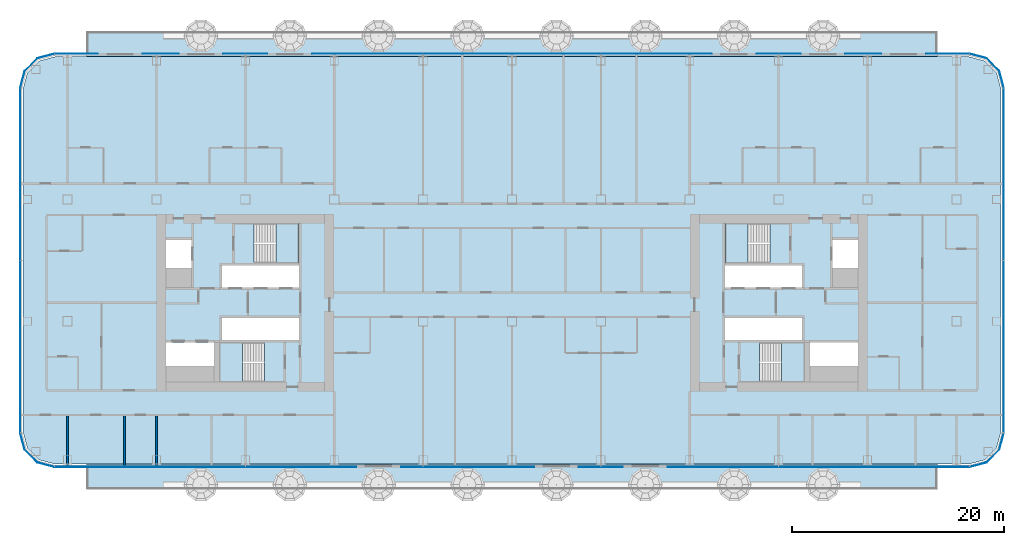
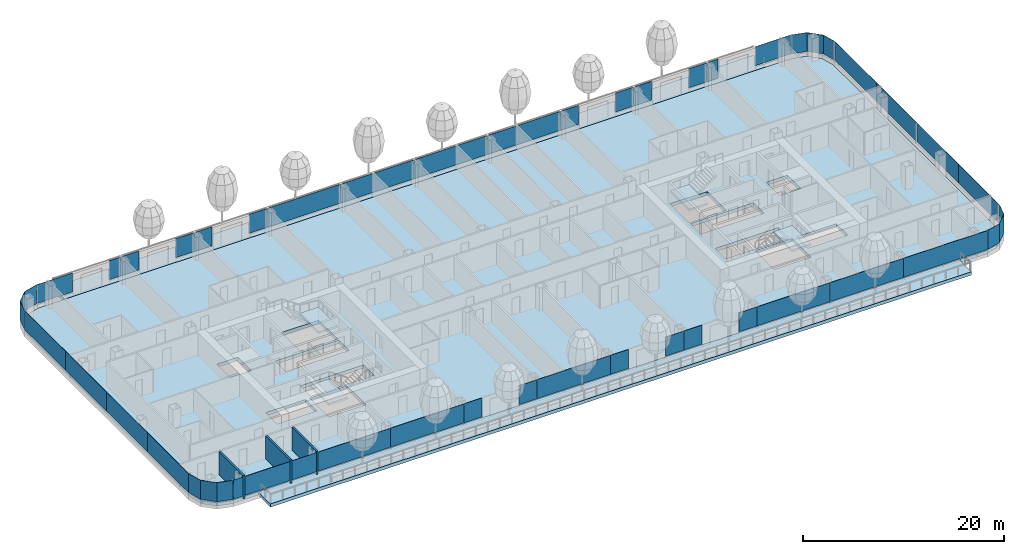
# One storey, part 12 of 34: 41 plates, 7 slabs, 3 walls, 12 elements without a shape of their own.
"""IFC4 building model written with IfcOpenShell, lengths in metres."""

import ifcopenshell
import ifcopenshell.guid

model = None  # the IFC model being written
_history = None  # IfcOwnerHistory: only IFC2X3 demands one
_inside = {}  # id of a spatial element -> (the spatial element, [elements in it])
_under = {}  # id of a project, library or spatial element -> (it, [spatial elements below it])
_declared = {}  # id of a project -> (the project, [libraries it declares])
_typed = {}  # id of a type object -> (the type object, [elements of that type])
_made_of = {}  # id of a material, layer set ... -> (it, [elements and type objects made of it])


def new_model(schema):
    """Start an empty IFC model of exactly this schema.

    Asked for "IFC4X3", IfcOpenShell would pick the latest addendum, in which some entities
    have other attributes; the version numbers below select the first issue.
    IFC2X3 requires an IfcOwnerHistory on every rooted entity: one is made here for all.
    """
    global model, _history
    if schema == "IFC4X3":
        model = ifcopenshell.file(schema_version=(4, 3, 0, 0))
    else:
        model = ifcopenshell.file(schema=schema)
    _inside.clear()
    _under.clear()
    _declared.clear()
    _typed.clear()
    _made_of.clear()
    _history = None
    if model.schema == "IFC2X3":
        org = make("IfcOrganization", Name="unknown")
        user = make(
            "IfcPersonAndOrganization",
            ThePerson=make("IfcPerson", FamilyName="unknown"),
            TheOrganization=org,
        )
        app = make(
            "IfcApplication",
            ApplicationDeveloper=org,
            Version="unknown",
            ApplicationFullName="unknown",
            ApplicationIdentifier="unknown",
        )
        _history = make(
            "IfcOwnerHistory",
            OwningUser=user,
            OwningApplication=app,
            ChangeAction="ADDED",
            CreationDate=0,
        )
    return model


def make(cls, **values):
    """One entity of the class cls with the attributes given. An attribute that is None is left unset."""
    return model.create_entity(
        cls, **{name: value for name, value in values.items() if value is not None}
    )


def rooted(cls, **values):
    """An entity with a GlobalId (a new one), such as an element, a storey or a relation."""
    return make(cls, GlobalId=ifcopenshell.guid.new(), OwnerHistory=_history, **values)


def si_unit(unit_type, name, prefix=None):
    """IfcSIUnit, for example si_unit("LENGTHUNIT", "METRE", prefix="MILLI")."""
    return make("IfcSIUnit", UnitType=unit_type, Prefix=prefix, Name=name)


def assignment(units):
    """IfcUnitAssignment: the units of a project."""
    return None if units is None else make("IfcUnitAssignment", Units=units)


def point(xyz):
    """IfcCartesianPoint."""
    return None if xyz is None else make("IfcCartesianPoint", Coordinates=xyz)


def direction(xyz):
    """IfcDirection."""
    return None if xyz is None else make("IfcDirection", DirectionRatios=xyz)


def frame(location, z_axis=None, x_axis=None):
    """IfcAxis2Placement3D, a coordinate frame: its origin and axes. An axis left out is left unset."""
    return make(
        "IfcAxis2Placement3D",
        Location=point(location),
        Axis=direction(z_axis),
        RefDirection=direction(x_axis),
    )


def frame_2d(location, x_axis=None):
    """IfcAxis2Placement2D, a coordinate frame in the plane: its origin and x axis."""
    return make(
        "IfcAxis2Placement2D", Location=point(location), RefDirection=direction(x_axis)
    )


def origin():
    """The frame at (0, 0, 0) with its axes left unset."""
    return frame((0.0, 0.0, 0.0))


def origin_2d():
    """The frame at (0, 0) in the plane with its x axis left unset."""
    return frame_2d((0.0, 0.0))


def place(relative_to, where):
    """IfcLocalPlacement: puts the frame where relative to a parent placement (None: the world)."""
    return make(
        "IfcLocalPlacement", PlacementRelTo=relative_to, RelativePlacement=where
    )


def context(
    kind, dimensions, precision=None, world=None, true_north=None, identifier=None
):
    """IfcGeometricRepresentationContext, for example the 3D "Model" context."""
    return make(
        "IfcGeometricRepresentationContext",
        ContextIdentifier=identifier,
        ContextType=kind,
        CoordinateSpaceDimension=dimensions,
        Precision=precision,
        WorldCoordinateSystem=world,
        TrueNorth=true_north,
    )


def subcontext(parent, identifier, kind, view, scale=None):
    """IfcGeometricRepresentationSubContext, for example "Body" below "Model"."""
    return make(
        "IfcGeometricRepresentationSubContext",
        ContextIdentifier=identifier,
        ContextType=kind,
        ParentContext=parent,
        TargetScale=scale,
        TargetView=view,
    )


def project(units=None, contexts=None):
    """IfcProject with its units and contexts."""
    return rooted(
        "IfcProject",
        Name="project",
        RepresentationContexts=contexts,
        UnitsInContext=assignment(units),
    )


def spatial(cls, under=None, at=None, **own):
    """A site, building, storey or space (cls), placed at a placement, below another one or the project."""
    s = rooted(cls, ObjectPlacement=at, **own)
    if under is not None:
        _under.setdefault(under.id(), (under, []))[1].append(s)
    return s


def polyline(points):
    """IfcPolyline through the points."""
    return make("IfcPolyline", Points=[point(p) for p in points])


def profile(cls, at=None, kind="AREA", **sizes):
    """A parametric profile (cls). Its sizes go by their IFC names, for example OverallWidth=200.0."""
    return make(cls, ProfileType=kind, Position=at, **sizes)


def rectangle(**sizes):
    """IfcRectangleProfileDef."""
    return profile("IfcRectangleProfileDef", **sizes)


def outline(outer, holes=None, kind="AREA"):
    """IfcArbitraryClosedProfileDef: a profile drawn as a closed curve; with holes, ...WithVoids."""
    if holes is None:
        return make("IfcArbitraryClosedProfileDef", ProfileType=kind, OuterCurve=outer)
    return make(
        "IfcArbitraryProfileDefWithVoids",
        ProfileType=kind,
        OuterCurve=outer,
        InnerCurves=holes,
    )


def extrude(swept, where, along, depth):
    """IfcExtrudedAreaSolid: the profile swept, set in the frame where, extruded along a direction by depth."""
    return make(
        "IfcExtrudedAreaSolid",
        SweptArea=swept,
        Position=where,
        ExtrudedDirection=direction(along),
        Depth=depth,
    )


def shape(context_of_items, identifier, shape_type, items):
    """IfcShapeRepresentation: the items that make up one representation, for example the "Body"."""
    return make(
        "IfcShapeRepresentation",
        ContextOfItems=context_of_items,
        RepresentationIdentifier=identifier,
        RepresentationType=shape_type,
        Items=items,
    )


def material(Name=None, Category=None):
    """IfcMaterial."""
    return make("IfcMaterial", Name=Name, Category=Category)


def layer(
    of_material, thickness, ventilated=None, Name=None, Category=None, Priority=None
):
    """IfcMaterialLayer: one layer of a wall or slab, of a material (None: an air gap)."""
    return make(
        "IfcMaterialLayer",
        Material=of_material,
        LayerThickness=thickness,
        IsVentilated=ventilated,
        Name=Name,
        Category=Category,
        Priority=Priority,
    )


def layer_set(layers, Name=None):
    """IfcMaterialLayerSet."""
    return make("IfcMaterialLayerSet", MaterialLayers=layers, LayerSetName=Name)


def made_of(thing, what):
    """Note that an element or type object is made of a material, layer set ...; save() writes the relation."""
    if what is not None:
        _made_of.setdefault(what.id(), (what, []))[1].append(thing)
    return thing


def type_object(cls, material=None, **own):
    """A type object (cls), such as IfcWallType, which elements share."""
    return made_of(rooted(cls, **own), material)


def element(
    cls,
    number,
    at=None,
    inside=None,
    cuts=None,
    type_object=None,
    material=None,
    context=None,
    identifier="Body",
    shape_type=None,
    held_by="IfcProductDefinitionShape",
    body=None,
    shapes=None,
    **own,
):
    """One element of the class cls, such as IfcWall. Its Tag is "e" and its number.

    at: its placement. inside: the storey or other place that contains it. cuts: it is an
    opening in that element (IfcRelVoidsElement). A single representation is given by context,
    identifier, shape_type and body (its items); several are given by shapes. held_by: the class
    of the entity that holds the representations. save() writes the other relations.
    """
    e = rooted(cls, Tag="e%d" % number, ObjectPlacement=at, **own)
    if body is not None:
        shapes = [shape(context, identifier, shape_type, body)]
    if shapes is not None:
        e.Representation = make(held_by, Representations=shapes)
    if inside is not None:
        _inside.setdefault(inside.id(), (inside, []))[1].append(e)
    if cuts is not None:
        rooted(
            "IfcRelVoidsElement", RelatingBuildingElement=cuts, RelatedOpeningElement=e
        )
    if type_object is not None:
        _typed.setdefault(type_object.id(), (type_object, []))[1].append(e)
    return made_of(e, material)


def aggregate(whole, parts):
    """IfcRelAggregates: a whole, such as a stair, and the parts it consists of."""
    return rooted("IfcRelAggregates", RelatingObject=whole, RelatedObjects=parts)


def save(model, path):
    """Write the relations noted so far, then the file.

    IfcRelAggregates (storeys below a building ...), IfcRelContainedInSpatialStructure (elements
    in a storey), IfcRelDefinesByType, IfcRelAssociatesMaterial and IfcRelDeclares: one each for
    every whole, place, type object, material and project.
    """
    for whole, parts in _under.values():
        aggregate(whole, parts)
    for where, things in _inside.values():
        rooted(
            "IfcRelContainedInSpatialStructure",
            RelatedElements=things,
            RelatingStructure=where,
        )
    for kind, things in _typed.values():
        rooted("IfcRelDefinesByType", RelatedObjects=things, RelatingType=kind)
    for what, things in _made_of.values():
        rooted("IfcRelAssociatesMaterial", RelatedObjects=things, RelatingMaterial=what)
    for by, libraries in _declared.values():
        rooted("IfcRelDeclares", RelatingContext=by, RelatedDefinitions=libraries)
    model.write(path)


model = new_model("IFC4")

# Units and contexts
model_context = context("Model", 3, precision=1e-05, world=origin(), true_north=direction((0.0, 1.0)))
body_context = subcontext(model_context, "Body", "Model", "MODEL_VIEW")
ifc_project = project(units=[si_unit("LENGTHUNIT", "METRE"), si_unit("AREAUNIT", "SQUARE_METRE"), si_unit("VOLUMEUNIT", "CUBIC_METRE"), si_unit("PLANEANGLEUNIT", "RADIAN"), si_unit("MASSUNIT", "GRAM", prefix="KILO")], contexts=[model_context])

# Site, building, storey
site_placement = place(None, origin())
site = spatial("IfcSite", under=ifc_project, at=site_placement, CompositionType="ELEMENT")
building_placement = place(site_placement, origin())
building = spatial("IfcBuilding", under=site, at=building_placement, Name="Hakoniwa Tower and Hamabe Station Hall", CompositionType="ELEMENT")
storey_placement = place(building_placement, frame((0.0, 0.0, 107.39990234375)))
storey = spatial("IfcBuildingStorey", under=building, at=storey_placement, Name="L30", CompositionType="ELEMENT", Elevation=107.39990234375)

# Slabs
ifc_material_1 = material(Name="Concrete C42", Category="concrete")
ifc_layer_1 = layer(ifc_material_1, 0.25)
ifc_layer_set_1 = layer_set([ifc_layer_1], Name="BALCONY SLAB 250")
slab_type_1 = type_object("IfcSlabType", Name="BALCONY SLAB 250", PredefinedType="FLOOR", material=ifc_layer_set_1)
slab_1_placement = place(storey_placement, frame((0.0, 0.0, -0.39990234375)))
element("IfcSlab", 1, at=slab_1_placement, inside=storey, type_object=slab_type_1, Name="Balcony slab L30 BAL-L30-N", PredefinedType="FLOOR", context=body_context, shape_type="SweptSolid", body=[
    extrude(outline(polyline([(-40.199951171875, 23.25), (40.199951171875, 23.25), (40.199951171875, 25.64990234375), (-40.199951171875, 25.64990234375), (-40.199951171875, 23.25)])), origin(), (0.0, 0.0, 1.0), 0.39990234375),
])
slab_2_placement = place(storey_placement, frame((0.0, 0.0, -0.39990234375)))
element("IfcSlab", 2, at=slab_2_placement, inside=storey, type_object=slab_type_1, Name="Balcony slab L30 BAL-L30-S", PredefinedType="FLOOR", context=body_context, shape_type="SweptSolid", body=[
    extrude(outline(polyline([(-40.199951171875, -17.64990234375), (40.199951171875, -17.64990234375), (40.199951171875, -15.25), (-40.199951171875, -15.25), (-40.199951171875, -17.64990234375)])), origin(), (0.0, 0.0, 1.0), 0.39990234375),
])

# Stair, slab
ifc_material_2 = material(Name="Concrete C40", Category="concrete")
stair_type = type_object("IfcStairType", Name="ESCAPE STAIR 1800", PredefinedType="HALF_TURN_STAIR", material=ifc_material_2)
stair_1_placement = place(storey_placement, origin())
stair_1 = element("IfcStair", 3, at=stair_1_placement, inside=storey, type_object=stair_type, Name="Escape stair ST-1 L30", PredefinedType="HALF_TURN_STAIR")
ifc_material_3 = material(Name="Concrete C40", Category="concrete")
ifc_layer_2 = layer(ifc_material_3, 0.25)
ifc_layer_set_2 = layer_set([ifc_layer_2], Name="CORE STAIR LANDING 250")
slab_type_2 = type_object("IfcSlabType", Name="CORE STAIR LANDING 250", PredefinedType="LANDING", material=ifc_layer_set_2)
slab_3_placement = place(storey_placement, frame((0.0, 0.0, 1.35009765625)))
slab_3 = element("IfcSlab", 4, at=slab_3_placement, type_object=slab_type_2, Name="ST-1 landing 1", PredefinedType="LANDING", context=body_context, shape_type="SweptSolid", body=[
    extrude(outline(polyline([(-22.320068359375, 3.75), (-20.14990234375, 3.75), (-20.14990234375, 7.5), (-22.320068359375, 7.5), (-22.320068359375, 3.75)])), origin(), (0.0, 0.0, 1.0), 0.25),
])
aggregate(stair_1, [slab_3])

stair_2_placement = place(storey_placement, origin())
stair_2 = element("IfcStair", 5, at=stair_2_placement, inside=storey, type_object=stair_type, Name="Escape stair ST-2 L30", PredefinedType="HALF_TURN_STAIR")
slab_4_placement = place(storey_placement, frame((0.0, 0.0, 1.35009765625)))
slab_4 = element("IfcSlab", 6, at=slab_4_placement, type_object=slab_type_2, Name="ST-2 landing 1", PredefinedType="LANDING", context=body_context, shape_type="SweptSolid", body=[
    extrude(outline(polyline([(-25.47998046875, -7.5), (-27.64990234375, -7.5), (-27.64990234375, -3.75), (-25.47998046875, -3.75), (-25.47998046875, -7.5)])), origin(), (0.0, 0.0, 1.0), 0.25),
])
aggregate(stair_2, [slab_4])

stair_3_placement = place(storey_placement, origin())
stair_3 = element("IfcStair", 7, at=stair_3_placement, inside=storey, type_object=stair_type, Name="Escape stair ST-3 L30", PredefinedType="HALF_TURN_STAIR")
slab_5_placement = place(storey_placement, frame((0.0, 0.0, 1.35009765625)))
slab_5 = element("IfcSlab", 8, at=slab_5_placement, type_object=slab_type_2, Name="ST-3 landing 1", PredefinedType="LANDING", context=body_context, shape_type="SweptSolid", body=[
    extrude(outline(polyline([(22.320068359375, 3.75), (20.14990234375, 3.75), (20.14990234375, 7.5), (22.320068359375, 7.5), (22.320068359375, 3.75)])), origin(), (0.0, 0.0, 1.0), 0.25),
])
aggregate(stair_3, [slab_5])

stair_4_placement = place(storey_placement, origin())
stair_4 = element("IfcStair", 9, at=stair_4_placement, inside=storey, type_object=stair_type, Name="Escape stair ST-4 L30", PredefinedType="HALF_TURN_STAIR")
slab_6_placement = place(storey_placement, frame((0.0, 0.0, 1.35009765625)))
slab_6 = element("IfcSlab", 10, at=slab_6_placement, type_object=slab_type_2, Name="ST-4 landing 1", PredefinedType="LANDING", context=body_context, shape_type="SweptSolid", body=[
    extrude(outline(polyline([(25.47998046875, -7.5), (27.64990234375, -7.5), (27.64990234375, -3.75), (25.47998046875, -3.75), (25.47998046875, -7.5)])), origin(), (0.0, 0.0, 1.0), 0.25),
])
aggregate(stair_4, [slab_6])

# Curtain wall, plates
ifc_material_4 = material(Name="Dark low-e laminated glass", Category="glass")
ifc_layer_3 = layer(ifc_material_4, 0.199951171875)
ifc_layer_set_3 = layer_set([ifc_layer_3], Name="CW-1 UNITISED GUEST")
curtain_wall_type = type_object("IfcCurtainWallType", Name="CW-1 UNITISED GUEST", PredefinedType="NOTDEFINED", material=ifc_layer_set_3)
curtain_wall_1_placement = place(storey_placement, origin())
curtain_wall_1 = element("IfcCurtainWall", 11, at=curtain_wall_1_placement, inside=storey, type_object=curtain_wall_type, Name="CW-1 curtain wall", PredefinedType="NOTDEFINED")
ifc_material_5 = material(Name="Dark low-e laminated glass", Category="glass")
ifc_layer_4 = layer(ifc_material_5, 0.028076171875)
ifc_layer_set_4 = layer_set([ifc_layer_4], Name="CW-1 GLASS UNIT")
plate_type = type_object("IfcPlateType", Name="CW-1 GLASS UNIT", PredefinedType="CURTAIN_PANEL", material=ifc_layer_set_4)
plate_1_placement = place(storey_placement, frame((46.486083984375, -8.217041015625, 0.35009765625), z_axis=(0.0, 0.0, 1.0), x_axis=(0.0, 1.0, 0.0)))
plate_1 = element("IfcPlate", 12, at=plate_1_placement, type_object=plate_type, Name="CW-1 glass unit", PredefinedType="CURTAIN_PANEL", context=body_context, shape_type="SweptSolid", body=[
    extrude(rectangle(XDim=8.124755859375, YDim=0.028076171875, at=origin_2d()), origin(), (0.0, 0.0, 1.0), 2.300048828125),
])
plate_2_placement = place(storey_placement, frame((46.486083984375, -0.072265625, 0.35009765625), z_axis=(0.0, 0.0, 1.0), x_axis=(0.0, 1.0, 0.0)))
plate_2 = element("IfcPlate", 13, at=plate_2_placement, type_object=plate_type, Name="CW-1 glass unit", PredefinedType="CURTAIN_PANEL", context=body_context, shape_type="SweptSolid", body=[
    extrude(rectangle(XDim=8.124755859375, YDim=0.028076171875, at=origin_2d()), origin(), (0.0, 0.0, 1.0), 2.300048828125),
])
plate_3_placement = place(storey_placement, frame((46.486083984375, 8.072265625, 0.35009765625), z_axis=(0.0, 0.0, 1.0), x_axis=(0.0, 1.0, 0.0)))
plate_3 = element("IfcPlate", 14, at=plate_3_placement, type_object=plate_type, Name="CW-1 glass unit", PredefinedType="CURTAIN_PANEL", context=body_context, shape_type="SweptSolid", body=[
    extrude(rectangle(XDim=8.124755859375, YDim=0.028076171875, at=origin_2d()), origin(), (0.0, 0.0, 1.0), 2.300048828125),
])
plate_4_placement = place(storey_placement, frame((46.486083984375, 16.217041015625, 0.35009765625), z_axis=(0.0, 0.0, 1.0), x_axis=(0.0, 1.0, 0.0)))
plate_4 = element("IfcPlate", 15, at=plate_4_placement, type_object=plate_type, Name="CW-1 glass unit", PredefinedType="CURTAIN_PANEL", context=body_context, shape_type="SweptSolid", body=[
    extrude(rectangle(XDim=8.124755859375, YDim=0.028076171875, at=origin_2d()), origin(), (0.0, 0.0, 1.0), 2.300048828125),
])
aggregate(curtain_wall_1, [plate_1, plate_2, plate_3, plate_4])

# Curtain wall, plate
curtain_wall_2_placement = place(storey_placement, origin())
curtain_wall_2 = element("IfcCurtainWall", 16, at=curtain_wall_2_placement, inside=storey, type_object=curtain_wall_type, Name="CW-1 curtain wall", PredefinedType="NOTDEFINED")
plate_5_placement = place(storey_placement, frame((0.0, 0.0, 0.35009765625)))
plate_5 = element("IfcPlate", 17, at=plate_5_placement, type_object=plate_type, Name="CW-1 curved corner unit", PredefinedType="CURTAIN_PANEL", context=body_context, shape_type="SweptSolid", body=[
    extrude(outline(polyline([(46.48974609375, 20.328125), (46.067138671875, 21.9052734375), (44.855224609375, 23.116943359375), (43.278076171875, 23.53955078125), (43.27099609375, 23.5126953125), (44.8408203125, 23.092041015625), (46.0419921875, 21.890869140625), (46.462646484375, 20.32080078125), (46.48974609375, 20.328125)])), origin(), (0.0, 0.0, 1.0), 2.300048828125),
])
aggregate(curtain_wall_2, [plate_5])

# Curtain wall, plates
curtain_wall_3_placement = place(storey_placement, origin())
curtain_wall_3 = element("IfcCurtainWall", 18, at=curtain_wall_3_placement, inside=storey, type_object=curtain_wall_type, Name="CW-1 curtain wall", PredefinedType="NOTDEFINED")
plate_6_placement = place(storey_placement, frame((41.18212890625, 23.535888671875, 0.35009765625), z_axis=(0.0, 0.0, 1.0), x_axis=(-1.0, 0.0, 0.0)))
plate_6 = element("IfcPlate", 19, at=plate_6_placement, type_object=plate_type, Name="CW-1 glass unit", PredefinedType="CURTAIN_PANEL", context=body_context, shape_type="SweptSolid", body=[
    extrude(rectangle(XDim=4.094482421875, YDim=0.028076171875, at=origin_2d()), origin(), (0.0, 0.0, 1.0), 2.300048828125),
])
plate_7_placement = place(storey_placement, frame((34.262451171875, 23.535888671875, 0.35009765625), z_axis=(0.0, 0.0, 1.0), x_axis=(-1.0, 0.0, 0.0)))
plate_7 = element("IfcPlate", 20, at=plate_7_placement, type_object=plate_type, Name="CW-1 glass unit", PredefinedType="CURTAIN_PANEL", context=body_context, shape_type="SweptSolid", body=[
    extrude(rectangle(XDim=1.304931640625, YDim=0.028076171875, at=origin_2d()), origin(), (0.0, 0.0, 1.0), 2.300048828125),
])
plate_8_placement = place(storey_placement, frame((32.550048828125, 23.535888671875, 0.35009765625), z_axis=(0.0, 0.0, 1.0), x_axis=(-1.0, 0.0, 0.0)))
plate_8 = element("IfcPlate", 21, at=plate_8_placement, type_object=plate_type, Name="CW-1 glass unit", PredefinedType="CURTAIN_PANEL", context=body_context, shape_type="SweptSolid", body=[
    extrude(rectangle(XDim=2.080078125, YDim=0.028076171875, at=origin_2d()), origin(), (0.0, 0.0, 1.0), 2.300048828125),
])
plate_9_placement = place(storey_placement, frame((26.25, 23.535888671875, 0.35009765625), z_axis=(0.0, 0.0, 1.0), x_axis=(-1.0, 0.0, 0.0)))
plate_9 = element("IfcPlate", 22, at=plate_9_placement, type_object=plate_type, Name="CW-1 glass unit", PredefinedType="CURTAIN_PANEL", context=body_context, shape_type="SweptSolid", body=[
    extrude(rectangle(XDim=2.080078125, YDim=0.028076171875, at=origin_2d()), origin(), (0.0, 0.0, 1.0), 2.300048828125),
])
plate_10_placement = place(storey_placement, frame((24.14990234375, 23.535888671875, 0.35009765625), z_axis=(0.0, 0.0, 1.0), x_axis=(-1.0, 0.0, 0.0)))
plate_10 = element("IfcPlate", 23, at=plate_10_placement, type_object=plate_type, Name="CW-1 glass unit", PredefinedType="CURTAIN_PANEL", context=body_context, shape_type="SweptSolid", body=[
    extrude(rectangle(XDim=2.080078125, YDim=0.028076171875, at=origin_2d()), origin(), (0.0, 0.0, 1.0), 2.300048828125),
])
plate_11_placement = place(storey_placement, frame((17.85009765625, 23.535888671875, 0.35009765625), z_axis=(0.0, 0.0, 1.0), x_axis=(-1.0, 0.0, 0.0)))
plate_11 = element("IfcPlate", 24, at=plate_11_placement, type_object=plate_type, Name="CW-1 glass unit", PredefinedType="CURTAIN_PANEL", context=body_context, shape_type="SweptSolid", body=[
    extrude(rectangle(XDim=2.080078125, YDim=0.028076171875, at=origin_2d()), origin(), (0.0, 0.0, 1.0), 2.300048828125),
])
plate_12_placement = place(storey_placement, frame((12.60009765625, 23.535888671875, 0.35009765625), z_axis=(0.0, 0.0, 1.0), x_axis=(-1.0, 0.0, 0.0)))
plate_12 = element("IfcPlate", 25, at=plate_12_placement, type_object=plate_type, Name="CW-1 glass unit", PredefinedType="CURTAIN_PANEL", context=body_context, shape_type="SweptSolid", body=[
    extrude(rectangle(XDim=8.3798828125, YDim=0.028076171875, at=origin_2d()), origin(), (0.0, 0.0, 1.0), 2.300048828125),
])
plate_13_placement = place(storey_placement, frame((4.199951171875, 23.535888671875, 0.35009765625), z_axis=(0.0, 0.0, 1.0), x_axis=(-1.0, 0.0, 0.0)))
plate_13 = element("IfcPlate", 26, at=plate_13_placement, type_object=plate_type, Name="CW-1 glass unit", PredefinedType="CURTAIN_PANEL", context=body_context, shape_type="SweptSolid", body=[
    extrude(rectangle(XDim=8.3798828125, YDim=0.028076171875, at=origin_2d()), origin(), (0.0, 0.0, 1.0), 2.300048828125),
])
plate_14_placement = place(storey_placement, frame((-4.199951171875, 23.535888671875, 0.35009765625), z_axis=(0.0, 0.0, 1.0), x_axis=(-1.0, 0.0, 0.0)))
plate_14 = element("IfcPlate", 27, at=plate_14_placement, type_object=plate_type, Name="CW-1 glass unit", PredefinedType="CURTAIN_PANEL", context=body_context, shape_type="SweptSolid", body=[
    extrude(rectangle(XDim=8.3798828125, YDim=0.028076171875, at=origin_2d()), origin(), (0.0, 0.0, 1.0), 2.300048828125),
])
plate_15_placement = place(storey_placement, frame((-12.60009765625, 23.535888671875, 0.35009765625), z_axis=(0.0, 0.0, 1.0), x_axis=(-1.0, 0.0, 0.0)))
plate_15 = element("IfcPlate", 28, at=plate_15_placement, type_object=plate_type, Name="CW-1 glass unit", PredefinedType="CURTAIN_PANEL", context=body_context, shape_type="SweptSolid", body=[
    extrude(rectangle(XDim=8.3798828125, YDim=0.028076171875, at=origin_2d()), origin(), (0.0, 0.0, 1.0), 2.300048828125),
])
plate_16_placement = place(storey_placement, frame((-17.85009765625, 23.535888671875, 0.35009765625), z_axis=(0.0, 0.0, 1.0), x_axis=(-1.0, 0.0, 0.0)))
plate_16 = element("IfcPlate", 29, at=plate_16_placement, type_object=plate_type, Name="CW-1 glass unit", PredefinedType="CURTAIN_PANEL", context=body_context, shape_type="SweptSolid", body=[
    extrude(rectangle(XDim=2.080078125, YDim=0.028076171875, at=origin_2d()), origin(), (0.0, 0.0, 1.0), 2.300048828125),
])
plate_17_placement = place(storey_placement, frame((-24.14990234375, 23.535888671875, 0.35009765625), z_axis=(0.0, 0.0, 1.0), x_axis=(-1.0, 0.0, 0.0)))
plate_17 = element("IfcPlate", 30, at=plate_17_placement, type_object=plate_type, Name="CW-1 glass unit", PredefinedType="CURTAIN_PANEL", context=body_context, shape_type="SweptSolid", body=[
    extrude(rectangle(XDim=2.080078125, YDim=0.028076171875, at=origin_2d()), origin(), (0.0, 0.0, 1.0), 2.300048828125),
])
plate_18_placement = place(storey_placement, frame((-26.25, 23.535888671875, 0.35009765625), z_axis=(0.0, 0.0, 1.0), x_axis=(-1.0, 0.0, 0.0)))
plate_18 = element("IfcPlate", 31, at=plate_18_placement, type_object=plate_type, Name="CW-1 glass unit", PredefinedType="CURTAIN_PANEL", context=body_context, shape_type="SweptSolid", body=[
    extrude(rectangle(XDim=2.080078125, YDim=0.028076171875, at=origin_2d()), origin(), (0.0, 0.0, 1.0), 2.300048828125),
])
plate_19_placement = place(storey_placement, frame((-32.550048828125, 23.535888671875, 0.35009765625), z_axis=(0.0, 0.0, 1.0), x_axis=(-1.0, 0.0, 0.0)))
plate_19 = element("IfcPlate", 32, at=plate_19_placement, type_object=plate_type, Name="CW-1 glass unit", PredefinedType="CURTAIN_PANEL", context=body_context, shape_type="SweptSolid", body=[
    extrude(rectangle(XDim=2.080078125, YDim=0.028076171875, at=origin_2d()), origin(), (0.0, 0.0, 1.0), 2.300048828125),
])
plate_20_placement = place(storey_placement, frame((-34.262451171875, 23.535888671875, 0.35009765625), z_axis=(0.0, 0.0, 1.0), x_axis=(-1.0, 0.0, 0.0)))
plate_20 = element("IfcPlate", 33, at=plate_20_placement, type_object=plate_type, Name="CW-1 glass unit", PredefinedType="CURTAIN_PANEL", context=body_context, shape_type="SweptSolid", body=[
    extrude(rectangle(XDim=1.304931640625, YDim=0.028076171875, at=origin_2d()), origin(), (0.0, 0.0, 1.0), 2.300048828125),
])
plate_21_placement = place(storey_placement, frame((-41.18212890625, 23.535888671875, 0.35009765625), z_axis=(0.0, 0.0, 1.0), x_axis=(-1.0, 0.0, 0.0)))
plate_21 = element("IfcPlate", 34, at=plate_21_placement, type_object=plate_type, Name="CW-1 glass unit", PredefinedType="CURTAIN_PANEL", context=body_context, shape_type="SweptSolid", body=[
    extrude(rectangle(XDim=4.094482421875, YDim=0.028076171875, at=origin_2d()), origin(), (0.0, 0.0, 1.0), 2.300048828125),
])
aggregate(curtain_wall_3, [plate_6, plate_7, plate_8, plate_9, plate_10, plate_11, plate_12, plate_13, plate_14, plate_15, plate_16, plate_17, plate_18, plate_19, plate_20, plate_21])

# Curtain wall, plate
curtain_wall_4_placement = place(storey_placement, origin())
curtain_wall_4 = element("IfcCurtainWall", 35, at=curtain_wall_4_placement, inside=storey, type_object=curtain_wall_type, Name="CW-1 curtain wall", PredefinedType="NOTDEFINED")
plate_22_placement = place(storey_placement, frame((0.0, 0.0, 0.35009765625)))
plate_22 = element("IfcPlate", 36, at=plate_22_placement, type_object=plate_type, Name="CW-1 curved corner unit", PredefinedType="CURTAIN_PANEL", context=body_context, shape_type="SweptSolid", body=[
    extrude(outline(polyline([(-43.278076171875, 23.53955078125), (-44.855224609375, 23.116943359375), (-46.067138671875, 21.9052734375), (-46.48974609375, 20.328125), (-46.462646484375, 20.32080078125), (-46.0419921875, 21.890869140625), (-44.8408203125, 23.092041015625), (-43.27099609375, 23.5126953125), (-43.278076171875, 23.53955078125)])), origin(), (0.0, 0.0, 1.0), 2.300048828125),
])
aggregate(curtain_wall_4, [plate_22])

# Curtain wall, plates
curtain_wall_5_placement = place(storey_placement, origin())
curtain_wall_5 = element("IfcCurtainWall", 37, at=curtain_wall_5_placement, inside=storey, type_object=curtain_wall_type, Name="CW-1 curtain wall", PredefinedType="NOTDEFINED")
plate_23_placement = place(storey_placement, frame((-46.486083984375, 16.217041015625, 0.35009765625), z_axis=(0.0, 0.0, 1.0), x_axis=(0.0, -1.0, 0.0)))
plate_23 = element("IfcPlate", 38, at=plate_23_placement, type_object=plate_type, Name="CW-1 glass unit", PredefinedType="CURTAIN_PANEL", context=body_context, shape_type="SweptSolid", body=[
    extrude(rectangle(XDim=8.124755859375, YDim=0.028076171875, at=origin_2d()), origin(), (0.0, 0.0, 1.0), 2.300048828125),
])
plate_24_placement = place(storey_placement, frame((-46.486083984375, 8.072265625, 0.35009765625), z_axis=(0.0, 0.0, 1.0), x_axis=(0.0, -1.0, 0.0)))
plate_24 = element("IfcPlate", 39, at=plate_24_placement, type_object=plate_type, Name="CW-1 glass unit", PredefinedType="CURTAIN_PANEL", context=body_context, shape_type="SweptSolid", body=[
    extrude(rectangle(XDim=8.124755859375, YDim=0.028076171875, at=origin_2d()), origin(), (0.0, 0.0, 1.0), 2.300048828125),
])
plate_25_placement = place(storey_placement, frame((-46.486083984375, -0.072265625, 0.35009765625), z_axis=(0.0, 0.0, 1.0), x_axis=(0.0, -1.0, 0.0)))
plate_25 = element("IfcPlate", 40, at=plate_25_placement, type_object=plate_type, Name="CW-1 glass unit", PredefinedType="CURTAIN_PANEL", context=body_context, shape_type="SweptSolid", body=[
    extrude(rectangle(XDim=8.124755859375, YDim=0.028076171875, at=origin_2d()), origin(), (0.0, 0.0, 1.0), 2.300048828125),
])
plate_26_placement = place(storey_placement, frame((-46.486083984375, -8.217041015625, 0.35009765625), z_axis=(0.0, 0.0, 1.0), x_axis=(0.0, -1.0, 0.0)))
plate_26 = element("IfcPlate", 41, at=plate_26_placement, type_object=plate_type, Name="CW-1 glass unit", PredefinedType="CURTAIN_PANEL", context=body_context, shape_type="SweptSolid", body=[
    extrude(rectangle(XDim=8.124755859375, YDim=0.028076171875, at=origin_2d()), origin(), (0.0, 0.0, 1.0), 2.300048828125),
])
aggregate(curtain_wall_5, [plate_23, plate_24, plate_25, plate_26])

# Curtain wall, plate
curtain_wall_6_placement = place(storey_placement, origin())
curtain_wall_6 = element("IfcCurtainWall", 42, at=curtain_wall_6_placement, inside=storey, type_object=curtain_wall_type, Name="CW-1 curtain wall", PredefinedType="NOTDEFINED")
plate_27_placement = place(storey_placement, frame((0.0, 0.0, 0.35009765625)))
plate_27 = element("IfcPlate", 43, at=plate_27_placement, type_object=plate_type, Name="CW-1 curved corner unit", PredefinedType="CURTAIN_PANEL", context=body_context, shape_type="SweptSolid", body=[
    extrude(outline(polyline([(-46.48974609375, -12.328125), (-46.067138671875, -13.9052734375), (-44.855224609375, -15.116943359375), (-43.278076171875, -15.53955078125), (-43.27099609375, -15.5126953125), (-44.8408203125, -15.092041015625), (-46.0419921875, -13.890869140625), (-46.462646484375, -12.32080078125), (-46.48974609375, -12.328125)])), origin(), (0.0, 0.0, 1.0), 2.300048828125),
])
aggregate(curtain_wall_6, [plate_27])

# Curtain wall, plates
curtain_wall_7_placement = place(storey_placement, origin())
curtain_wall_7 = element("IfcCurtainWall", 44, at=curtain_wall_7_placement, inside=storey, type_object=curtain_wall_type, Name="CW-1 curtain wall", PredefinedType="NOTDEFINED")
plate_28_placement = place(storey_placement, frame((-38.419677734375, -15.535888671875, 0.35009765625), z_axis=(0.0, 0.0, 1.0), x_axis=(1.0, 0.0, 0.0)))
plate_28 = element("IfcPlate", 45, at=plate_28_placement, type_object=plate_type, Name="CW-1 glass unit", PredefinedType="CURTAIN_PANEL", context=body_context, shape_type="SweptSolid", body=[
    extrude(rectangle(XDim=9.619384765625, YDim=0.028076171875, at=origin_2d()), origin(), (0.0, 0.0, 1.0), 2.300048828125),
])
plate_29_placement = place(storey_placement, frame((-29.39990234375, -15.535888671875, 0.35009765625), z_axis=(0.0, 0.0, 1.0), x_axis=(1.0, 0.0, 0.0)))
plate_29 = element("IfcPlate", 46, at=plate_29_placement, type_object=plate_type, Name="CW-1 glass unit", PredefinedType="CURTAIN_PANEL", context=body_context, shape_type="SweptSolid", body=[
    extrude(rectangle(XDim=8.3798828125, YDim=0.028076171875, at=origin_2d()), origin(), (0.0, 0.0, 1.0), 2.300048828125),
])
plate_30_placement = place(storey_placement, frame((-21.0, -15.535888671875, 0.35009765625), z_axis=(0.0, 0.0, 1.0), x_axis=(1.0, 0.0, 0.0)))
plate_30 = element("IfcPlate", 47, at=plate_30_placement, type_object=plate_type, Name="CW-1 glass unit", PredefinedType="CURTAIN_PANEL", context=body_context, shape_type="SweptSolid", body=[
    extrude(rectangle(XDim=8.3798828125, YDim=0.028076171875, at=origin_2d()), origin(), (0.0, 0.0, 1.0), 2.300048828125),
])
plate_31_placement = place(storey_placement, frame((-15.75, -15.535888671875, 0.35009765625), z_axis=(0.0, 0.0, 1.0), x_axis=(1.0, 0.0, 0.0)))
plate_31 = element("IfcPlate", 48, at=plate_31_placement, type_object=plate_type, Name="CW-1 glass unit", PredefinedType="CURTAIN_PANEL", context=body_context, shape_type="SweptSolid", body=[
    extrude(rectangle(XDim=2.080078125, YDim=0.028076171875, at=origin_2d()), origin(), (0.0, 0.0, 1.0), 2.300048828125),
])
plate_32_placement = place(storey_placement, frame((-9.449951171875, -15.535888671875, 0.35009765625), z_axis=(0.0, 0.0, 1.0), x_axis=(1.0, 0.0, 0.0)))
plate_32 = element("IfcPlate", 49, at=plate_32_placement, type_object=plate_type, Name="CW-1 glass unit", PredefinedType="CURTAIN_PANEL", context=body_context, shape_type="SweptSolid", body=[
    extrude(rectangle(XDim=2.080078125, YDim=0.028076171875, at=origin_2d()), origin(), (0.0, 0.0, 1.0), 2.300048828125),
])
plate_33_placement = place(storey_placement, frame((-4.199951171875, -15.535888671875, 0.35009765625), z_axis=(0.0, 0.0, 1.0), x_axis=(1.0, 0.0, 0.0)))
plate_33 = element("IfcPlate", 50, at=plate_33_placement, type_object=plate_type, Name="CW-1 glass unit", PredefinedType="CURTAIN_PANEL", context=body_context, shape_type="SweptSolid", body=[
    extrude(rectangle(XDim=8.3798828125, YDim=0.028076171875, at=origin_2d()), origin(), (0.0, 0.0, 1.0), 2.300048828125),
])
plate_34_placement = place(storey_placement, frame((1.050048828125, -15.535888671875, 0.35009765625), z_axis=(0.0, 0.0, 1.0), x_axis=(1.0, 0.0, 0.0)))
plate_34 = element("IfcPlate", 51, at=plate_34_placement, type_object=plate_type, Name="CW-1 glass unit", PredefinedType="CURTAIN_PANEL", context=body_context, shape_type="SweptSolid", body=[
    extrude(rectangle(XDim=2.080078125, YDim=0.028076171875, at=origin_2d()), origin(), (0.0, 0.0, 1.0), 2.300048828125),
])
plate_35_placement = place(storey_placement, frame((7.35009765625, -15.535888671875, 0.35009765625), z_axis=(0.0, 0.0, 1.0), x_axis=(1.0, 0.0, 0.0)))
plate_35 = element("IfcPlate", 52, at=plate_35_placement, type_object=plate_type, Name="CW-1 glass unit", PredefinedType="CURTAIN_PANEL", context=body_context, shape_type="SweptSolid", body=[
    extrude(rectangle(XDim=2.080078125, YDim=0.028076171875, at=origin_2d()), origin(), (0.0, 0.0, 1.0), 2.300048828125),
])
plate_36_placement = place(storey_placement, frame((9.449951171875, -15.535888671875, 0.35009765625), z_axis=(0.0, 0.0, 1.0), x_axis=(1.0, 0.0, 0.0)))
plate_36 = element("IfcPlate", 53, at=plate_36_placement, type_object=plate_type, Name="CW-1 glass unit", PredefinedType="CURTAIN_PANEL", context=body_context, shape_type="SweptSolid", body=[
    extrude(rectangle(XDim=2.080078125, YDim=0.028076171875, at=origin_2d()), origin(), (0.0, 0.0, 1.0), 2.300048828125),
])
plate_37_placement = place(storey_placement, frame((15.75, -15.535888671875, 0.35009765625), z_axis=(0.0, 0.0, 1.0), x_axis=(1.0, 0.0, 0.0)))
plate_37 = element("IfcPlate", 54, at=plate_37_placement, type_object=plate_type, Name="CW-1 glass unit", PredefinedType="CURTAIN_PANEL", context=body_context, shape_type="SweptSolid", body=[
    extrude(rectangle(XDim=2.080078125, YDim=0.028076171875, at=origin_2d()), origin(), (0.0, 0.0, 1.0), 2.300048828125),
])
plate_38_placement = place(storey_placement, frame((21.0, -15.535888671875, 0.35009765625), z_axis=(0.0, 0.0, 1.0), x_axis=(1.0, 0.0, 0.0)))
plate_38 = element("IfcPlate", 55, at=plate_38_placement, type_object=plate_type, Name="CW-1 glass unit", PredefinedType="CURTAIN_PANEL", context=body_context, shape_type="SweptSolid", body=[
    extrude(rectangle(XDim=8.3798828125, YDim=0.028076171875, at=origin_2d()), origin(), (0.0, 0.0, 1.0), 2.300048828125),
])
plate_39_placement = place(storey_placement, frame((29.39990234375, -15.535888671875, 0.35009765625), z_axis=(0.0, 0.0, 1.0), x_axis=(1.0, 0.0, 0.0)))
plate_39 = element("IfcPlate", 56, at=plate_39_placement, type_object=plate_type, Name="CW-1 glass unit", PredefinedType="CURTAIN_PANEL", context=body_context, shape_type="SweptSolid", body=[
    extrude(rectangle(XDim=8.3798828125, YDim=0.028076171875, at=origin_2d()), origin(), (0.0, 0.0, 1.0), 2.300048828125),
])
plate_40_placement = place(storey_placement, frame((38.419677734375, -15.535888671875, 0.35009765625), z_axis=(0.0, 0.0, 1.0), x_axis=(1.0, 0.0, 0.0)))
plate_40 = element("IfcPlate", 57, at=plate_40_placement, type_object=plate_type, Name="CW-1 glass unit", PredefinedType="CURTAIN_PANEL", context=body_context, shape_type="SweptSolid", body=[
    extrude(rectangle(XDim=9.619384765625, YDim=0.028076171875, at=origin_2d()), origin(), (0.0, 0.0, 1.0), 2.300048828125),
])
aggregate(curtain_wall_7, [plate_28, plate_29, plate_30, plate_31, plate_32, plate_33, plate_34, plate_35, plate_36, plate_37, plate_38, plate_39, plate_40])

# Curtain wall, plate
curtain_wall_8_placement = place(storey_placement, origin())
curtain_wall_8 = element("IfcCurtainWall", 58, at=curtain_wall_8_placement, inside=storey, type_object=curtain_wall_type, Name="CW-1 curtain wall", PredefinedType="NOTDEFINED")
plate_41_placement = place(storey_placement, frame((0.0, 0.0, 0.35009765625)))
plate_41 = element("IfcPlate", 59, at=plate_41_placement, type_object=plate_type, Name="CW-1 curved corner unit", PredefinedType="CURTAIN_PANEL", context=body_context, shape_type="SweptSolid", body=[
    extrude(outline(polyline([(43.278076171875, -15.53955078125), (44.855224609375, -15.116943359375), (46.067138671875, -13.9052734375), (46.48974609375, -12.328125), (46.462646484375, -12.32080078125), (46.0419921875, -13.890869140625), (44.8408203125, -15.092041015625), (43.27099609375, -15.5126953125), (43.278076171875, -15.53955078125)])), origin(), (0.0, 0.0, 1.0), 2.300048828125),
])
aggregate(curtain_wall_8, [plate_41])

# Slab
ifc_material_6 = material(Name="Concrete C42", Category="concrete")
ifc_layer_5 = layer(ifc_material_6, 0.39990234375)
ifc_layer_set_5 = layer_set([ifc_layer_5], Name="PT FLAT PLATE 400")
slab_type_3 = type_object("IfcSlabType", Name="PT FLAT PLATE 400", PredefinedType="FLOOR", material=ifc_layer_set_5)
slab_7_placement = place(storey_placement, frame((0.0, 0.0, -0.39990234375)))
element("IfcSlab", 60, at=slab_7_placement, inside=storey, type_object=slab_type_3, Name="Floor slab L30", PredefinedType="FLOOR", context=body_context, shape_type="SweptSolid", body=[
    extrude(outline(polyline([(46.199951171875, -12.25), (46.199951171875, 20.25), (45.798095703125, 21.75), (44.699951171875, 22.84814453125), (43.199951171875, 23.25), (-43.199951171875, 23.25), (-44.699951171875, 22.84814453125), (-45.798095703125, 21.75), (-46.199951171875, 20.25), (-46.199951171875, -12.25), (-45.798095703125, -13.75), (-44.699951171875, -14.84814453125), (-43.199951171875, -15.25), (43.199951171875, -15.25), (44.699951171875, -14.84814453125), (45.798095703125, -13.75), (46.199951171875, -12.25)]), holes=[polyline([(-27.39990234375, 1.449951171875), (-27.39990234375, 3.5), (-20.14990234375, 3.5), (-20.14990234375, 1.449951171875), (-27.39990234375, 1.449951171875)]), polyline([(-27.39990234375, -3.5), (-27.39990234375, -1.449951171875), (-20.14990234375, -1.449951171875), (-20.14990234375, -3.5), (-27.39990234375, -3.5)]), polyline([(-32.699951171875, 3.300048828125), (-32.699951171875, 5.949951171875), (-30.300048828125, 5.949951171875), (-30.300048828125, 3.300048828125), (-32.699951171875, 3.300048828125)]), polyline([(-32.699951171875, -6.0), (-32.699951171875, -3.75), (-28.14990234375, -3.75), (-28.14990234375, -6.0), (-32.699951171875, -6.0)]), polyline([(-24.389892578125, 3.75), (-24.389892578125, 7.5), (-20.14990234375, 7.5), (-20.14990234375, 3.75), (-24.389892578125, 3.75)]), polyline([(-27.64990234375, -7.5), (-27.64990234375, -3.75), (-23.409912109375, -3.75), (-23.409912109375, -7.5), (-27.64990234375, -7.5)]), polyline([(20.14990234375, 1.449951171875), (20.14990234375, 3.5), (27.39990234375, 3.5), (27.39990234375, 1.449951171875), (20.14990234375, 1.449951171875)]), polyline([(20.14990234375, -3.5), (20.14990234375, -1.449951171875), (27.39990234375, -1.449951171875), (27.39990234375, -3.5), (20.14990234375, -3.5)]), polyline([(30.300048828125, 3.300048828125), (30.300048828125, 5.949951171875), (32.699951171875, 5.949951171875), (32.699951171875, 3.300048828125), (30.300048828125, 3.300048828125)]), polyline([(28.14990234375, -6.0), (28.14990234375, -3.75), (32.699951171875, -3.75), (32.699951171875, -6.0), (28.14990234375, -6.0)]), polyline([(20.14990234375, 3.75), (20.14990234375, 7.5), (24.389892578125, 7.5), (24.389892578125, 3.75), (20.14990234375, 3.75)]), polyline([(23.409912109375, -7.5), (23.409912109375, -3.75), (27.64990234375, -3.75), (27.64990234375, -7.5), (23.409912109375, -7.5)])]), origin(), (0.0, 0.0, 1.0), 0.39990234375),
])

# Walls
ifc_material_7 = material(Name="Fire-rated gypsum board partition", Category="gypsum")
ifc_layer_6 = layer(ifc_material_7, 0.199951171875)
ifc_layer_set_6 = layer_set([ifc_layer_6], Name="Party Wall 200")
wall_type = type_object("IfcWallType", Name="Party Wall 200", PredefinedType="PARTITIONING", material=ifc_layer_set_6)
for number, where, z_axis, x_axis, name in (
    (61, (-42.0, -15.550048828125, 0.0), (0.0, 0.0, 1.0), (0.0, 1.0, 0.0), "GW-L30-026"),
    (62, (-36.6201171875, -15.550048828125, 0.0), (0.0, 0.0, 1.0), (0.0, 1.0, 0.0), "GW-L30-032"),
    (63, (-33.60009765625, -15.550048828125, 0.0), (0.0, 0.0, 1.0), (0.0, 1.0, 0.0), "GW-L30-033"),
):
    element("IfcWall", number, at=place(storey_placement, frame(where, z_axis=z_axis, x_axis=x_axis)), inside=storey, type_object=wall_type, Name=name, PredefinedType="PARTITIONING", context=body_context, shape_type="SweptSolid", body=[
        extrude(rectangle(XDim=4.85009765625, YDim=0.199951171875, at=frame_2d((2.425048828125, 0.0))), origin(), (0.0, 0.0, 1.0), 2.800048828125),
    ])

save(model, "model.ifc")
